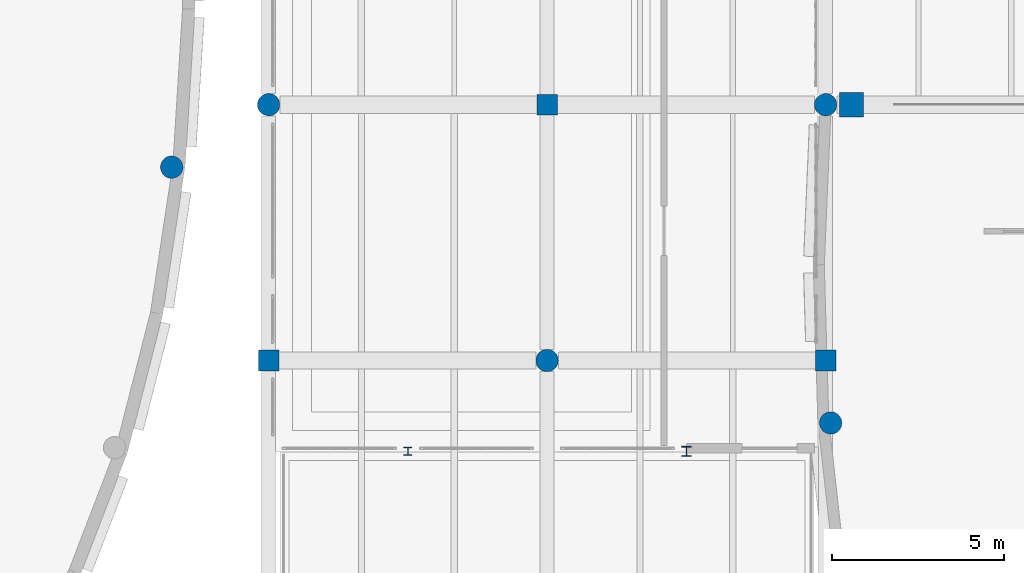
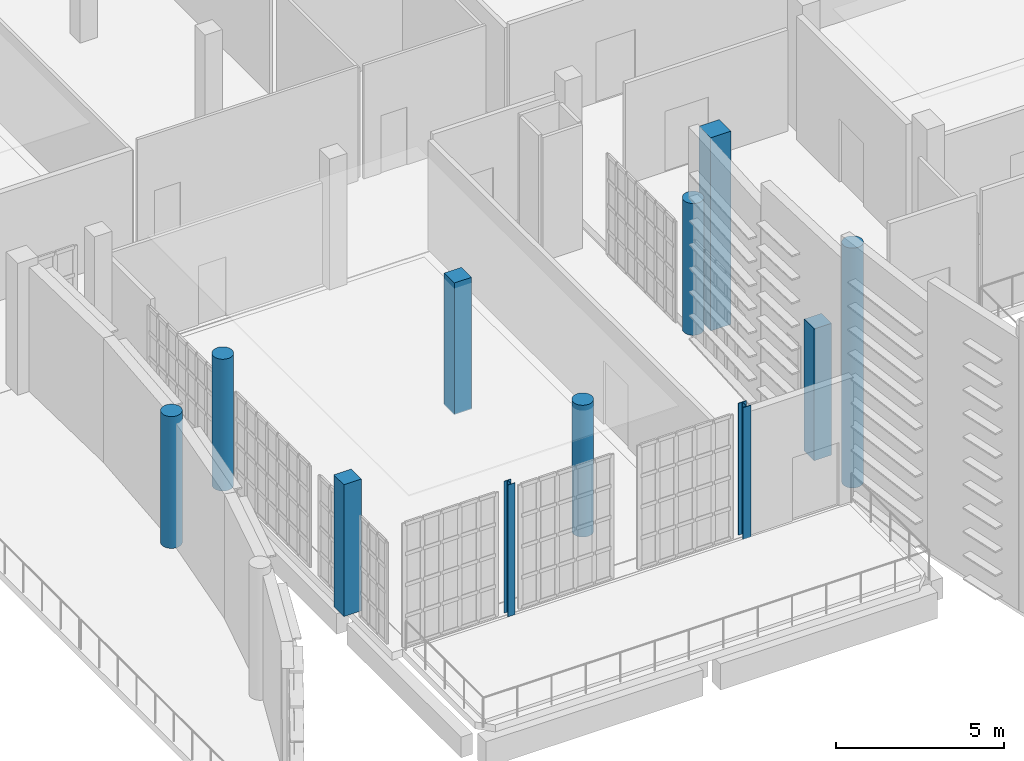
# One storey, part 5 of 104: 11 columns.
"""IFC4 building model written with IfcOpenShell, lengths in metres."""

from ifc_helpers import new_model, si_unit, direction, frame, origin, origin_2d, place, context, subcontext, project, spatial, rectangle, circle, i_section, extrude, material, material_profile, profile_set, type_object, element, save


model = new_model("IFC4")

# Units and contexts
model_context = context("Model", 3, precision=1e-05, world=origin(), true_north=direction((0.0, 1.0)))
body_context = subcontext(model_context, "Body", "Model", "MODEL_VIEW")
ifc_project = project(units=[si_unit("LENGTHUNIT", "METRE"), si_unit("AREAUNIT", "SQUARE_METRE"), si_unit("VOLUMEUNIT", "CUBIC_METRE"), si_unit("PLANEANGLEUNIT", "RADIAN"), si_unit("MASSUNIT", "GRAM", prefix="KILO")], contexts=[model_context])

# Site, building, storey
site_placement = place(None, origin())
site = spatial("IfcSite", under=ifc_project, at=site_placement, CompositionType="ELEMENT")
building_placement = place(site_placement, origin())
building = spatial("IfcBuilding", under=site, at=building_placement, Name="Kaelora Sail Theatre", CompositionType="ELEMENT")
storey_placement = place(building_placement, frame((0.0, 0.0, 5.39990234375)))
storey = spatial("IfcBuildingStorey", under=building, at=storey_placement, Name="L01", CompositionType="ELEMENT", Elevation=5.39990234375)

# Columns
ifc_material_1 = material(Name="Steel S355", Category="steel")
ifc_material_profile_1 = material_profile(ifc_material_1, i_section(OverallWidth=0.239990234375, OverallDepth=0.239990234375, WebThickness=0.010009765625, FlangeThickness=0.01708984375, FilletRadius=0.02099609375, at=origin_2d()), Name="HEB 240")
ifc_profile_set_1 = profile_set([ifc_material_profile_1], Name="Steel S355")
column_type_1 = type_object("IfcColumnType", Name="STR-COL-C-HEB240", PredefinedType="COLUMN", material=ifc_profile_set_1)
column_1_placement = place(storey_placement, frame((110.85009765625, 43.5, 0.0), z_axis=(0.0, 0.0, 1.0), x_axis=(1.0, 0.0, 0.0)))
element("IfcColumn", 1, at=column_1_placement, inside=storey, type_object=column_type_1, Name="East Foyer portal column L01-03", PredefinedType="COLUMN", context=body_context, shape_type="SweptSolid", body=[
    extrude(i_section(OverallWidth=0.239990234375, OverallDepth=0.239990234375, WebThickness=0.010009765625, FlangeThickness=0.01708984375, FilletRadius=0.02099609375, at=origin_2d()), origin(), (0.0, 0.0, 1.0), 4.800048828125),
])
ifc_material_2 = material(Name="Steel S355", Category="steel")
ifc_material_profile_2 = material_profile(ifc_material_2, i_section(OverallWidth=0.280029296875, OverallDepth=0.280029296875, WebThickness=0.010498046875, FlangeThickness=0.01806640625, FilletRadius=0.02392578125, at=origin_2d()), Name="HEB 280")
ifc_profile_set_2 = profile_set([ifc_material_profile_2], Name="Steel S355")
column_type_2 = type_object("IfcColumnType", Name="STR-COL-C-HEB280", PredefinedType="COLUMN", material=ifc_profile_set_2)
column_2_placement = place(storey_placement, frame((118.949951171875, 43.5, 0.0), z_axis=(0.0, 0.0, 1.0), x_axis=(1.0, 0.0, 0.0)))
element("IfcColumn", 2, at=column_2_placement, inside=storey, type_object=column_type_2, Name="East Foyer portal column L01-04", PredefinedType="COLUMN", context=body_context, shape_type="SweptSolid", body=[
    extrude(i_section(OverallWidth=0.280029296875, OverallDepth=0.280029296875, WebThickness=0.010498046875, FlangeThickness=0.01806640625, FilletRadius=0.02392578125, at=origin_2d()), origin(), (0.0, 0.0, 1.0), 4.800048828125),
])
ifc_material_3 = material(Name="Concrete C40/50", Category="concrete")
ifc_material_profile_3 = material_profile(ifc_material_3, rectangle(XDim=0.60009765625, YDim=0.60009765625, at=origin_2d()), Name="RC-COL 600x600")
ifc_profile_set_3 = profile_set([ifc_material_profile_3], Name="Concrete C40/50")
column_type_3 = type_object("IfcColumnType", Name="STR-COL-C-RC600", PredefinedType="COLUMN", material=ifc_profile_set_3)
for number, where, z_axis, x_axis, name in (
    (3, (106.800048828125, 46.139892578125, 0.0), (0.0, 0.0, 1.0), (1.0, 0.0, 0.0), "Column 14/G (L01)"),
    (4, (114.89990234375, 53.580078125, 0.0), (0.0, 0.0, 1.0), (1.0, 0.0, 0.0), "Column 15/H (L01)"),
    (5, (123.0, 46.139892578125, 0.0), (0.0, 0.0, 1.0), (1.0, 0.0, 0.0), "Column 16/G (L01)"),
):
    element("IfcColumn", number, at=place(storey_placement, frame(where, z_axis=z_axis, x_axis=x_axis)), inside=storey, type_object=column_type_3, Name=name, PredefinedType="COLUMN", context=body_context, shape_type="SweptSolid", body=[
        extrude(rectangle(XDim=0.60009765625, YDim=0.60009765625, at=origin_2d()), origin(), (0.0, 0.0, 1.0), 4.800048828125),
    ])
ifc_material_4 = material(Name="Concrete C45/55", Category="concrete")
ifc_material_profile_4 = material_profile(ifc_material_4, rectangle(XDim=0.699951171875, YDim=0.699951171875, at=origin_2d()), Name="RC-COL 700x700")
ifc_profile_set_4 = profile_set([ifc_material_profile_4], Name="Concrete C45/55")
column_type_4 = type_object("IfcColumnType", Name="STR-COL-C-RC700", PredefinedType="COLUMN", material=ifc_profile_set_4)
column_3_placement = place(storey_placement, frame((123.75, 53.580078125, 0.0), z_axis=(0.0, 0.0, 1.0), x_axis=(1.0, 0.0, 0.0)))
element("IfcColumn", 6, at=column_3_placement, inside=storey, type_object=column_type_4, Name="Black-Box Theatre north corner column NW (L01)", PredefinedType="COLUMN", context=body_context, shape_type="SweptSolid", body=[
    extrude(rectangle(XDim=0.699951171875, YDim=0.699951171875, at=origin_2d()), origin(), (0.0, 0.0, 1.0), 7.03515625),
])
ifc_material_5 = material(Name="Concrete C45/55", Category="concrete")
ifc_material_profile_5 = material_profile(ifc_material_5, circle(Radius=0.324951171875, at=origin_2d()), Name="RC-CCOL D650")
ifc_profile_set_5 = profile_set([ifc_material_profile_5], Name="Concrete C45/55")
column_type_5 = type_object("IfcColumnType", Name="STR-COL-C-RCD650", PredefinedType="COLUMN", material=ifc_profile_set_5)
for number, where, z_axis, x_axis, name in (
    (7, (106.800048828125, 53.580078125, 0.0), (0.0, 0.0, 1.0), (1.0, 0.0, 0.0), "Column 14/H (L01)"),
    (8, (114.89990234375, 46.139892578125, 0.0), (0.0, 0.0, 1.0), (1.0, 0.0, 0.0), "Column 15/G (L01)"),
    (9, (123.0, 53.580078125, 0.0), (0.0, 0.0, 1.0), (1.0, 0.0, 0.0), "Column 16/H (L01)"),
    (10, (103.98291015625, 51.76416015625, 0.0), (0.0, 0.0, 1.0), (1.0, 0.0, 0.0), "Studio Theatre drum column K02 (L01)"),
):
    element("IfcColumn", number, at=place(storey_placement, frame(where, z_axis=z_axis, x_axis=x_axis)), inside=storey, type_object=column_type_5, Name=name, PredefinedType="COLUMN", context=body_context, shape_type="SweptSolid", body=[
        extrude(circle(Radius=0.324951171875, at=origin_2d()), origin(), (0.0, 0.0, 1.0), 4.800048828125),
    ])
column_4_placement = place(storey_placement, frame((123.1455078125, 44.324951171875, 0.0), z_axis=(0.0, 0.0, 1.0), x_axis=(1.0, 0.0, 0.0)))
element("IfcColumn", 11, at=column_4_placement, inside=storey, type_object=column_type_5, Name="Black-Box Theatre drum column K18 (L01)", PredefinedType="COLUMN", context=body_context, shape_type="SweptSolid", body=[
    extrude(circle(Radius=0.324951171875, at=origin_2d()), origin(), (0.0, 0.0, 1.0), 8.733154296875),
])

save(model, "model.ifc")
